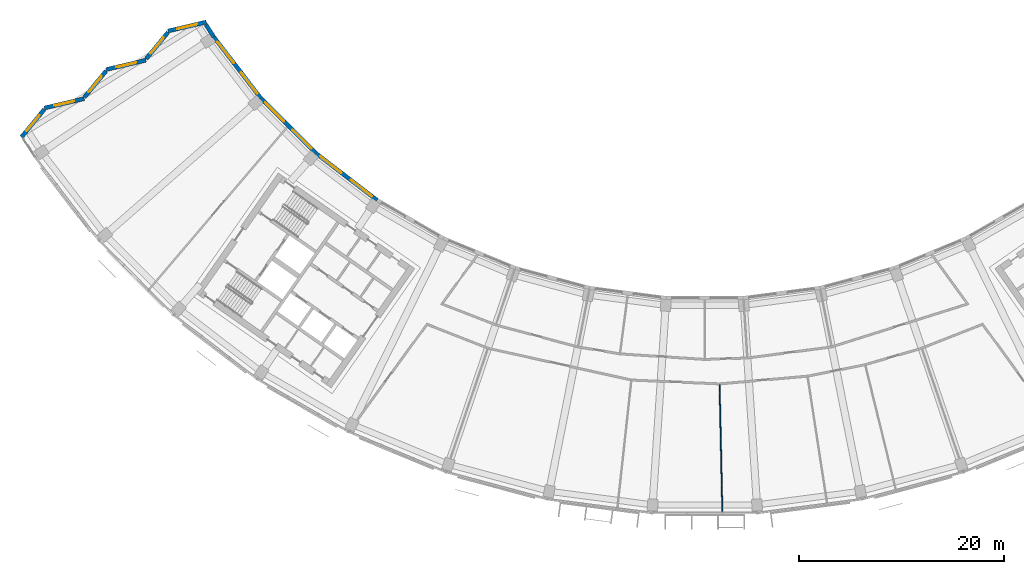
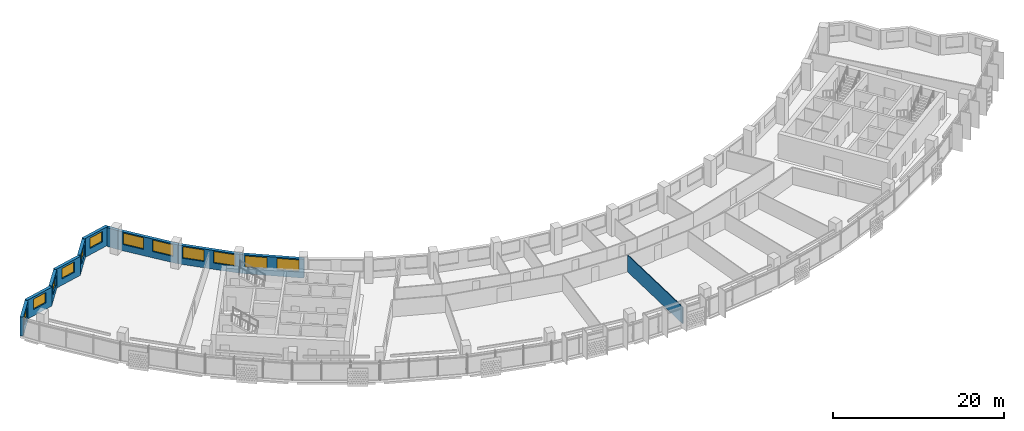
# One storey, part 5 of 27: 12 windows, 11 walls, 12 openings.
"""IFC4 building model written with IfcOpenShell, lengths in metres."""

from ifc_helpers import new_model, si_unit, direction, frame, frame_2d, origin, place, context, subcontext, project, spatial, rectangle, extrude, material, layer, layer_set, type_object, element, fill, save


model = new_model("IFC4")

# Units and contexts
model_context = context("Model", 3, precision=1e-05, world=origin(), true_north=direction((0.0, 1.0)))
body_context = subcontext(model_context, "Body", "Model", "MODEL_VIEW")
ifc_project = project(units=[si_unit("LENGTHUNIT", "METRE"), si_unit("AREAUNIT", "SQUARE_METRE"), si_unit("VOLUMEUNIT", "CUBIC_METRE"), si_unit("PLANEANGLEUNIT", "RADIAN"), si_unit("MASSUNIT", "GRAM", prefix="KILO")], contexts=[model_context])

# Site, building, storey
site_placement = place(None, origin())
site = spatial("IfcSite", under=ifc_project, at=site_placement, CompositionType="ELEMENT")
building_placement = place(site_placement, origin())
building = spatial("IfcBuilding", under=site, at=building_placement, Name="Qamariyya Broadcast Tower", CompositionType="ELEMENT")
storey_placement = place(building_placement, frame((0.0, 0.0, 222.699951171875)))
storey = spatial("IfcBuildingStorey", under=building, at=storey_placement, Name="L53", CompositionType="ELEMENT", Elevation=222.699951171875)

# Wall
ifc_material_1 = material(Name="Gypsum board partition")
ifc_layer_1 = layer(ifc_material_1, 0.10009765625)
ifc_layer_set_1 = layer_set([ifc_layer_1], Name="Partition 100")
wall_type_1 = type_object("IfcWallType", Name="Partition 100", PredefinedType="PARTITIONING", material=ifc_layer_set_1)
wall_1_placement = place(storey_placement, frame((1.710205078125, -78.28173828125, 0.0), z_axis=(0.0, 0.0, 1.0), x_axis=(-0.02182963041, 0.999761705226, 0.0)))
element("IfcWall", 1, at=wall_1_placement, inside=storey, type_object=wall_type_1, Name="Partition L53-019", PredefinedType="PARTITIONING", context=body_context, shape_type="SweptSolid", body=[
    extrude(rectangle(XDim=12.42529296875, YDim=0.10009765625, at=frame_2d((6.212646484375, 0.0))), origin(), (0.0, 0.0, 1.0), 2.400146484375),
])

# Wall, opening, window
ifc_material_2 = material(Name="Terracotta", Category="masonry")
ifc_layer_2 = layer(ifc_material_2, 0.39990234375)
ifc_layer_set_2 = layer_set([ifc_layer_2], Name="Terracotta clad wall 400")
wall_type_2 = type_object("IfcWallType", Name="Terracotta clad wall 400", PredefinedType="SOLIDWALL", material=ifc_layer_set_2)
wall_2_placement = place(storey_placement, frame((-48.585693359375, -30.5048828125, 0.0), z_axis=(0.0, 0.0, 1.0), x_axis=(-0.973642806263, -0.228078244933, 0.0)))
wall_2 = element("IfcWall", 2, at=wall_2_placement, inside=storey, type_object=wall_type_2, Name="e-wl-L53-capW0", PredefinedType="SOLIDWALL", context=body_context, shape_type="SweptSolid", body=[
    extrude(rectangle(XDim=3.83740234375, YDim=0.39990234375, at=frame_2d((1.918701171875, 0.0))), origin(), (0.0, 0.0, 1.0), 2.699951171875),
])
opening_1_placement = place(wall_2_placement, frame((0.918701171875, 0.0, 0.89990234375)))
opening_1 = element("IfcOpeningElement", 3, at=opening_1_placement, cuts=wall_2, Name="Opening W4", PredefinedType="OPENING", context=body_context, shape_type="SweptSolid", body=[
    extrude(rectangle(XDim=2.0, YDim=1.5, at=frame_2d((1.0, 0.75))), frame((0.0, 0.2099609375, 0.0), z_axis=(0.0, -1.0, 0.0), x_axis=(1.0, 0.0, 0.0)), (0.0, 0.0, 1.0), 0.419921875),
])
ifc_material_3 = material(Name="Clear low-e double glazed unit in aluminium frame", Category="aluminium")
window_type_1 = type_object("IfcWindowType", Name="Horn bay window 2000 x 1500", PartitioningType="SINGLE_PANEL", PredefinedType="WINDOW", material=ifc_material_3)
window_1_placement = place(opening_1_placement, origin())
window_1 = element("IfcWindow", 4, at=window_1_placement, inside=storey, type_object=window_type_1, Name="e-w-L53-capW0", OverallHeight=1.5, OverallWidth=2.0, PartitioningType="SINGLE_PANEL", PredefinedType="WINDOW", context=body_context, shape_type="SweptSolid", body=[
    extrude(rectangle(XDim=2.0, YDim=1.5, at=frame_2d((1.0, 0.75))), frame((0.0, 0.030029296875, 0.0), z_axis=(0.0, -1.0, 0.0), x_axis=(1.0, 0.0, 0.0)), (0.0, 0.0, 1.0), 0.06005859375),
])
fill(opening_1, window_1)

wall_3_placement = place(storey_placement, frame((-52.3427734375, -31.519775390625, 0.0), z_axis=(0.0, 0.0, 1.0), x_axis=(-0.635573442519, -0.772040412909, 0.0)))
wall_3 = element("IfcWall", 5, at=wall_3_placement, inside=storey, type_object=wall_type_2, Name="e-wl-L53-capW1", PredefinedType="SOLIDWALL", context=body_context, shape_type="SweptSolid", body=[
    extrude(rectangle(XDim=3.32568359375, YDim=0.39990234375, at=frame_2d((1.662841796875, 0.0))), origin(), (0.0, 0.0, 1.0), 2.699951171875),
])
opening_2_placement = place(wall_3_placement, frame((0.662841796875, 0.0, 0.89990234375)))
opening_2 = element("IfcOpeningElement", 6, at=opening_2_placement, cuts=wall_3, Name="Opening W4", PredefinedType="OPENING", context=body_context, shape_type="SweptSolid", body=[
    extrude(rectangle(XDim=2.0, YDim=1.5, at=frame_2d((1.0, 0.75))), frame((0.0, 0.2099609375, 0.0), z_axis=(0.0, -1.0, 0.0), x_axis=(1.0, 0.0, 0.0)), (0.0, 0.0, 1.0), 0.419921875),
])
window_2_placement = place(opening_2_placement, origin())
window_2 = element("IfcWindow", 7, at=window_2_placement, inside=storey, type_object=window_type_1, Name="e-w-L53-capW1", OverallHeight=1.5, OverallWidth=2.0, PartitioningType="SINGLE_PANEL", PredefinedType="WINDOW", context=body_context, shape_type="SweptSolid", body=[
    extrude(rectangle(XDim=2.0, YDim=1.5, at=frame_2d((1.0, 0.75))), frame((0.0, 0.030029296875, 0.0), z_axis=(0.0, -1.0, 0.0), x_axis=(1.0, 0.0, 0.0)), (0.0, 0.0, 1.0), 0.06005859375),
])
fill(opening_2, window_2)

wall_4_placement = place(storey_placement, frame((-54.477294921875, -34.22705078125, 0.0), z_axis=(0.0, 0.0, 1.0), x_axis=(-0.973622063738, -0.228166774536, 0.0)))
wall_4 = element("IfcWall", 8, at=wall_4_placement, inside=storey, type_object=wall_type_2, Name="e-wl-L53-capW2", PredefinedType="SOLIDWALL", context=body_context, shape_type="SweptSolid", body=[
    extrude(rectangle(XDim=3.977294921875, YDim=0.39990234375, at=frame_2d((1.98876953125, 0.0))), origin(), (0.0, 0.0, 1.0), 2.699951171875),
])
opening_3_placement = place(wall_4_placement, frame((0.988525390625, 0.0, 0.89990234375)))
opening_3 = element("IfcOpeningElement", 9, at=opening_3_placement, cuts=wall_4, Name="Opening W4", PredefinedType="OPENING", context=body_context, shape_type="SweptSolid", body=[
    extrude(rectangle(XDim=2.0, YDim=1.5, at=frame_2d((1.0, 0.75))), frame((0.0, 0.2099609375, 0.0), z_axis=(0.0, -1.0, 0.0), x_axis=(1.0, 0.0, 0.0)), (0.0, 0.0, 1.0), 0.419921875),
])
window_3_placement = place(opening_3_placement, origin())
window_3 = element("IfcWindow", 10, at=window_3_placement, inside=storey, type_object=window_type_1, Name="e-w-L53-capW2", OverallHeight=1.5, OverallWidth=2.0, PartitioningType="SINGLE_PANEL", PredefinedType="WINDOW", context=body_context, shape_type="SweptSolid", body=[
    extrude(rectangle(XDim=2.0, YDim=1.5, at=frame_2d((1.0, 0.75))), frame((0.0, 0.030029296875, 0.0), z_axis=(0.0, -1.0, 0.0), x_axis=(1.0, 0.0, 0.0)), (0.0, 0.0, 1.0), 0.06005859375),
])
fill(opening_3, window_3)

wall_5_placement = place(storey_placement, frame((-58.370361328125, -35.274169921875, 0.0), z_axis=(0.0, 0.0, 1.0), x_axis=(-0.635462678583, -0.772131584724, 0.0)))
wall_5 = element("IfcWall", 11, at=wall_5_placement, inside=storey, type_object=wall_type_2, Name="e-wl-L53-capW3", PredefinedType="SOLIDWALL", context=body_context, shape_type="SweptSolid", body=[
    extrude(rectangle(XDim=3.324462890625, YDim=0.39990234375, at=frame_2d((1.662109375, 0.0))), origin(), (0.0, 0.0, 1.0), 2.699951171875),
])
opening_4_placement = place(wall_5_placement, frame((0.662353515625, 0.0, 0.89990234375)))
opening_4 = element("IfcOpeningElement", 12, at=opening_4_placement, cuts=wall_5, Name="Opening W4", PredefinedType="OPENING", context=body_context, shape_type="SweptSolid", body=[
    extrude(rectangle(XDim=2.0, YDim=1.5, at=frame_2d((1.0, 0.75))), frame((0.0, 0.2099609375, 0.0), z_axis=(0.0, -1.0, 0.0), x_axis=(1.0, 0.0, 0.0)), (0.0, 0.0, 1.0), 0.419921875),
])
window_4_placement = place(opening_4_placement, origin())
window_4 = element("IfcWindow", 13, at=window_4_placement, inside=storey, type_object=window_type_1, Name="e-w-L53-capW3", OverallHeight=1.5, OverallWidth=2.0, PartitioningType="SINGLE_PANEL", PredefinedType="WINDOW", context=body_context, shape_type="SweptSolid", body=[
    extrude(rectangle(XDim=2.0, YDim=1.5, at=frame_2d((1.0, 0.75))), frame((0.0, 0.030029296875, 0.0), z_axis=(0.0, -1.0, 0.0), x_axis=(1.0, 0.0, 0.0)), (0.0, 0.0, 1.0), 0.06005859375),
])
fill(opening_4, window_4)

wall_6_placement = place(storey_placement, frame((-60.503662109375, -37.980712890625, 0.0), z_axis=(0.0, 0.0, 1.0), x_axis=(-0.973593937534, -0.228286760014, 0.0)))
wall_6 = element("IfcWall", 14, at=wall_6_placement, inside=storey, type_object=wall_type_2, Name="e-wl-L53-capW4", PredefinedType="SOLIDWALL", context=body_context, shape_type="SweptSolid", body=[
    extrude(rectangle(XDim=3.978271484375, YDim=0.39990234375, at=frame_2d((1.9892578125, 0.0))), origin(), (0.0, 0.0, 1.0), 2.699951171875),
])
opening_5_placement = place(wall_6_placement, frame((0.989013671875, 0.0, 0.89990234375)))
opening_5 = element("IfcOpeningElement", 15, at=opening_5_placement, cuts=wall_6, Name="Opening W4", PredefinedType="OPENING", context=body_context, shape_type="SweptSolid", body=[
    extrude(rectangle(XDim=2.0, YDim=1.5, at=frame_2d((1.0, 0.75))), frame((0.0, 0.2099609375, 0.0), z_axis=(0.0, -1.0, 0.0), x_axis=(1.0, 0.0, 0.0)), (0.0, 0.0, 1.0), 0.419921875),
])
window_5_placement = place(opening_5_placement, origin())
window_5 = element("IfcWindow", 16, at=window_5_placement, inside=storey, type_object=window_type_1, Name="e-w-L53-capW4", OverallHeight=1.5, OverallWidth=2.0, PartitioningType="SINGLE_PANEL", PredefinedType="WINDOW", context=body_context, shape_type="SweptSolid", body=[
    extrude(rectangle(XDim=2.0, YDim=1.5, at=frame_2d((1.0, 0.75))), frame((0.0, 0.030029296875, 0.0), z_axis=(0.0, -1.0, 0.0), x_axis=(1.0, 0.0, 0.0)), (0.0, 0.0, 1.0), 0.06005859375),
])
fill(opening_5, window_5)

wall_7_placement = place(storey_placement, frame((-64.397705078125, -39.028564453125, 0.0), z_axis=(0.0, 0.0, 1.0), x_axis=(-0.635413924182, -0.772171706912, 0.0)))
wall_7 = element("IfcWall", 17, at=wall_7_placement, inside=storey, type_object=wall_type_2, Name="e-wl-L53-capW5", PredefinedType="SOLIDWALL", context=body_context, shape_type="SweptSolid", body=[
    extrude(rectangle(XDim=3.47216796875, YDim=0.39990234375, at=frame_2d((1.736083984375, 0.0))), origin(), (0.0, 0.0, 1.0), 2.699951171875),
])
opening_6_placement = place(wall_7_placement, frame((0.736083984375, 0.0, 0.89990234375)))
opening_6 = element("IfcOpeningElement", 18, at=opening_6_placement, cuts=wall_7, Name="Opening W4", PredefinedType="OPENING", context=body_context, shape_type="SweptSolid", body=[
    extrude(rectangle(XDim=2.0, YDim=1.5, at=frame_2d((1.0, 0.75))), frame((0.0, 0.2099609375, 0.0), z_axis=(0.0, -1.0, 0.0), x_axis=(1.0, 0.0, 0.0)), (0.0, 0.0, 1.0), 0.419921875),
])
window_6_placement = place(opening_6_placement, origin())
window_6 = element("IfcWindow", 19, at=window_6_placement, inside=storey, type_object=window_type_1, Name="e-w-L53-capW5", OverallHeight=1.5, OverallWidth=2.0, PartitioningType="SINGLE_PANEL", PredefinedType="WINDOW", context=body_context, shape_type="SweptSolid", body=[
    extrude(rectangle(XDim=2.0, YDim=1.5, at=frame_2d((1.0, 0.75))), frame((0.0, 0.030029296875, 0.0), z_axis=(0.0, -1.0, 0.0), x_axis=(1.0, 0.0, 0.0)), (0.0, 0.0, 1.0), 0.06005859375),
])
fill(opening_6, window_6)

# Wall
wall_8_placement = place(storey_placement, frame((-47.865234375, -31.951171875, 0.0), z_axis=(0.0, 0.0, 1.0), x_axis=(-0.542279835313, 0.84019794109, 0.0)))
element("IfcWall", 20, at=wall_8_placement, inside=storey, type_object=wall_type_2, Name="e-wl-L53-in00", PredefinedType="SOLIDWALL", context=body_context, shape_type="SweptSolid", body=[
    extrude(rectangle(XDim=1.417724609375, YDim=0.39990234375, at=frame_2d((0.708984375, 0.0))), origin(), (0.0, 0.0, 1.0), 2.699951171875),
])

# Wall, openings, windows
wall_9_placement = place(storey_placement, frame((-43.25341796875, -37.965576171875, 0.0), z_axis=(0.0, 0.0, 1.0), x_axis=(-0.608769649721, 0.793347032249, 0.0)))
wall_9 = element("IfcWall", 21, at=wall_9_placement, inside=storey, type_object=wall_type_2, Name="e-wl-L53-in10", PredefinedType="SOLIDWALL", context=body_context, shape_type="SweptSolid", body=[
    extrude(rectangle(XDim=7.563232421875, YDim=0.39990234375, at=frame_2d((3.78173828125, 0.0))), origin(), (0.0, 0.0, 1.0), 2.699951171875),
])
opening_7_placement = place(wall_9_placement, frame((4.364501953125, 0.0, 0.89990234375)))
opening_7 = element("IfcOpeningElement", 22, at=opening_7_placement, cuts=wall_9, Name="Opening W1", PredefinedType="OPENING", context=body_context, shape_type="SweptSolid", body=[
    extrude(rectangle(XDim=2.60009765625, YDim=1.64990234375, at=frame_2d((1.300048828125, 0.824951171875))), frame((0.0, 0.2099609375, 0.0), z_axis=(0.0, -1.0, 0.0), x_axis=(1.0, 0.0, 0.0)), (0.0, 0.0, 1.0), 0.419921875),
])
opening_8_placement = place(wall_9_placement, frame((0.613525390625, 0.0, 0.89990234375)))
opening_8 = element("IfcOpeningElement", 23, at=opening_8_placement, cuts=wall_9, Name="Opening W1", PredefinedType="OPENING", context=body_context, shape_type="SweptSolid", body=[
    extrude(rectangle(XDim=2.60009765625, YDim=1.64990234375, at=frame_2d((1.300048828125, 0.824951171875))), frame((0.0, 0.2099609375, 0.0), z_axis=(0.0, -1.0, 0.0), x_axis=(1.0, 0.0, 0.0)), (0.0, 0.0, 1.0), 0.419921875),
])
window_type_2 = type_object("IfcWindowType", Name="Ribbon window 2600 x 1650", PartitioningType="SINGLE_PANEL", PredefinedType="WINDOW", material=ifc_material_3)
window_7_placement = place(opening_7_placement, origin())
window_7 = element("IfcWindow", 24, at=window_7_placement, inside=storey, type_object=window_type_2, Name="e-w-L53-in01-0", OverallHeight=1.64990234375, OverallWidth=2.60009765625, PartitioningType="SINGLE_PANEL", PredefinedType="WINDOW", context=body_context, shape_type="SweptSolid", body=[
    extrude(rectangle(XDim=2.60009765625, YDim=1.64990234375, at=frame_2d((1.300048828125, 0.824951171875))), frame((0.0, 0.030029296875, 0.0), z_axis=(0.0, -1.0, 0.0), x_axis=(1.0, 0.0, 0.0)), (0.0, 0.0, 1.0), 0.06005859375),
])
fill(opening_7, window_7)
window_8_placement = place(opening_8_placement, origin())
window_8 = element("IfcWindow", 25, at=window_8_placement, inside=storey, type_object=window_type_2, Name="e-w-L53-in01-1", OverallHeight=1.64990234375, OverallWidth=2.60009765625, PartitioningType="SINGLE_PANEL", PredefinedType="WINDOW", context=body_context, shape_type="SweptSolid", body=[
    extrude(rectangle(XDim=2.60009765625, YDim=1.64990234375, at=frame_2d((1.300048828125, 0.824951171875))), frame((0.0, 0.030029296875, 0.0), z_axis=(0.0, -1.0, 0.0), x_axis=(1.0, 0.0, 0.0)), (0.0, 0.0, 1.0), 0.06005859375),
])
fill(opening_8, window_8)

wall_10_placement = place(storey_placement, frame((-37.9814453125, -43.23291015625, 0.0), z_axis=(0.0, 0.0, 1.0), x_axis=(-0.707106781187, 0.707106781187, 0.0)))
wall_10 = element("IfcWall", 26, at=wall_10_placement, inside=storey, type_object=wall_type_2, Name="e-wl-L53-in20", PredefinedType="SOLIDWALL", context=body_context, shape_type="SweptSolid", body=[
    extrude(rectangle(XDim=7.4267578125, YDim=0.39990234375, at=frame_2d((3.71337890625, 0.0))), origin(), (0.0, 0.0, 1.0), 2.699951171875),
])
opening_9_placement = place(wall_10_placement, frame((4.28857421875, 0.0, 0.89990234375)))
opening_9 = element("IfcOpeningElement", 27, at=opening_9_placement, cuts=wall_10, Name="Opening W1", PredefinedType="OPENING", context=body_context, shape_type="SweptSolid", body=[
    extrude(rectangle(XDim=2.60009765625, YDim=1.64990234375, at=frame_2d((1.300048828125, 0.824951171875))), frame((0.0, 0.2099609375, 0.0), z_axis=(0.0, -1.0, 0.0), x_axis=(1.0, 0.0, 0.0)), (0.0, 0.0, 1.0), 0.419921875),
])
opening_10_placement = place(wall_10_placement, frame((0.537841796875, 0.0, 0.89990234375)))
opening_10 = element("IfcOpeningElement", 28, at=opening_10_placement, cuts=wall_10, Name="Opening W1", PredefinedType="OPENING", context=body_context, shape_type="SweptSolid", body=[
    extrude(rectangle(XDim=2.60009765625, YDim=1.64990234375, at=frame_2d((1.300048828125, 0.824951171875))), frame((0.0, 0.2099609375, 0.0), z_axis=(0.0, -1.0, 0.0), x_axis=(1.0, 0.0, 0.0)), (0.0, 0.0, 1.0), 0.419921875),
])
window_9_placement = place(opening_9_placement, origin())
window_9 = element("IfcWindow", 29, at=window_9_placement, inside=storey, type_object=window_type_2, Name="e-w-L53-in02-0", OverallHeight=1.64990234375, OverallWidth=2.60009765625, PartitioningType="SINGLE_PANEL", PredefinedType="WINDOW", context=body_context, shape_type="SweptSolid", body=[
    extrude(rectangle(XDim=2.60009765625, YDim=1.64990234375, at=frame_2d((1.300048828125, 0.824951171875))), frame((0.0, 0.030029296875, 0.0), z_axis=(0.0, -1.0, 0.0), x_axis=(1.0, 0.0, 0.0)), (0.0, 0.0, 1.0), 0.06005859375),
])
fill(opening_9, window_9)
window_10_placement = place(opening_10_placement, origin())
window_10 = element("IfcWindow", 30, at=window_10_placement, inside=storey, type_object=window_type_2, Name="e-w-L53-in02-1", OverallHeight=1.64990234375, OverallWidth=2.60009765625, PartitioningType="SINGLE_PANEL", PredefinedType="WINDOW", context=body_context, shape_type="SweptSolid", body=[
    extrude(rectangle(XDim=2.60009765625, YDim=1.64990234375, at=frame_2d((1.300048828125, 0.824951171875))), frame((0.0, 0.030029296875, 0.0), z_axis=(0.0, -1.0, 0.0), x_axis=(1.0, 0.0, 0.0)), (0.0, 0.0, 1.0), 0.06005859375),
])
fill(opening_10, window_10)

wall_11_placement = place(storey_placement, frame((-31.953369140625, -47.86669921875, 0.0), z_axis=(0.0, 0.0, 1.0), x_axis=(-0.793356365089, 0.608757486995, 0.0)))
wall_11 = element("IfcWall", 31, at=wall_11_placement, inside=storey, type_object=wall_type_2, Name="e-wl-L53-in30", PredefinedType="SOLIDWALL", context=body_context, shape_type="SweptSolid", body=[
    extrude(rectangle(XDim=7.578125, YDim=0.39990234375, at=frame_2d((3.7890625, 0.0))), origin(), (0.0, 0.0, 1.0), 2.699951171875),
])
opening_11_placement = place(wall_11_placement, frame((4.364501953125, 0.0, 0.89990234375)))
opening_11 = element("IfcOpeningElement", 32, at=opening_11_placement, cuts=wall_11, Name="Opening W1", PredefinedType="OPENING", context=body_context, shape_type="SweptSolid", body=[
    extrude(rectangle(XDim=2.60009765625, YDim=1.64990234375, at=frame_2d((1.300048828125, 0.824951171875))), frame((0.0, 0.2099609375, 0.0), z_axis=(0.0, -1.0, 0.0), x_axis=(1.0, 0.0, 0.0)), (0.0, 0.0, 1.0), 0.419921875),
])
opening_12_placement = place(wall_11_placement, frame((0.613525390625, 0.0, 0.89990234375)))
opening_12 = element("IfcOpeningElement", 33, at=opening_12_placement, cuts=wall_11, Name="Opening W1", PredefinedType="OPENING", context=body_context, shape_type="SweptSolid", body=[
    extrude(rectangle(XDim=2.60009765625, YDim=1.64990234375, at=frame_2d((1.300048828125, 0.824951171875))), frame((0.0, 0.2099609375, 0.0), z_axis=(0.0, -1.0, 0.0), x_axis=(1.0, 0.0, 0.0)), (0.0, 0.0, 1.0), 0.419921875),
])
window_11_placement = place(opening_11_placement, origin())
window_11 = element("IfcWindow", 34, at=window_11_placement, inside=storey, type_object=window_type_2, Name="e-w-L53-in03-0", OverallHeight=1.64990234375, OverallWidth=2.60009765625, PartitioningType="SINGLE_PANEL", PredefinedType="WINDOW", context=body_context, shape_type="SweptSolid", body=[
    extrude(rectangle(XDim=2.60009765625, YDim=1.64990234375, at=frame_2d((1.300048828125, 0.824951171875))), frame((0.0, 0.030029296875, 0.0), z_axis=(0.0, -1.0, 0.0), x_axis=(1.0, 0.0, 0.0)), (0.0, 0.0, 1.0), 0.06005859375),
])
fill(opening_11, window_11)
window_12_placement = place(opening_12_placement, origin())
window_12 = element("IfcWindow", 35, at=window_12_placement, inside=storey, type_object=window_type_2, Name="e-w-L53-in03-1", OverallHeight=1.64990234375, OverallWidth=2.60009765625, PartitioningType="SINGLE_PANEL", PredefinedType="WINDOW", context=body_context, shape_type="SweptSolid", body=[
    extrude(rectangle(XDim=2.60009765625, YDim=1.64990234375, at=frame_2d((1.300048828125, 0.824951171875))), frame((0.0, 0.030029296875, 0.0), z_axis=(0.0, -1.0, 0.0), x_axis=(1.0, 0.0, 0.0)), (0.0, 0.0, 1.0), 0.06005859375),
])
fill(opening_12, window_12)

save(model, "model.ifc")
